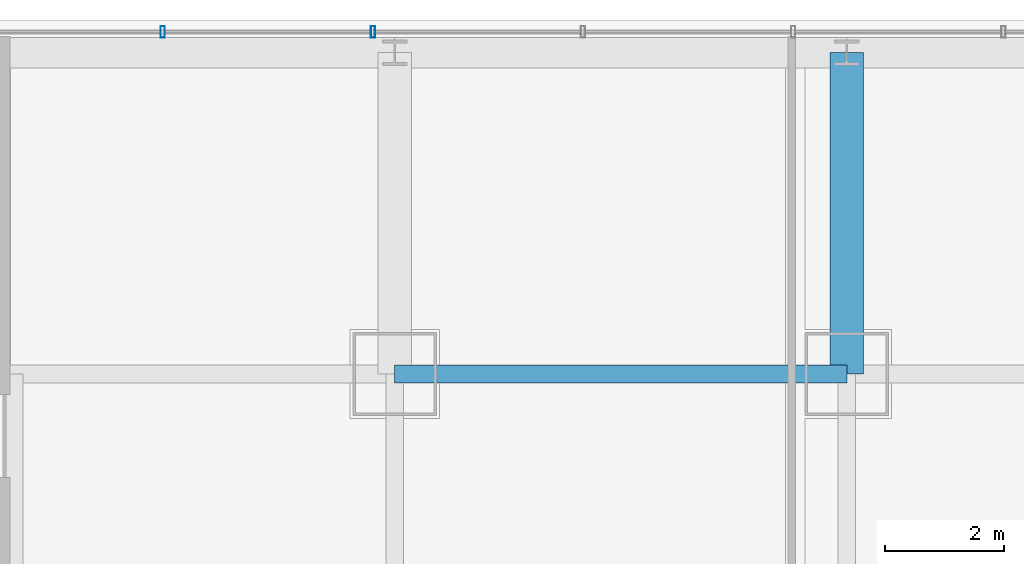
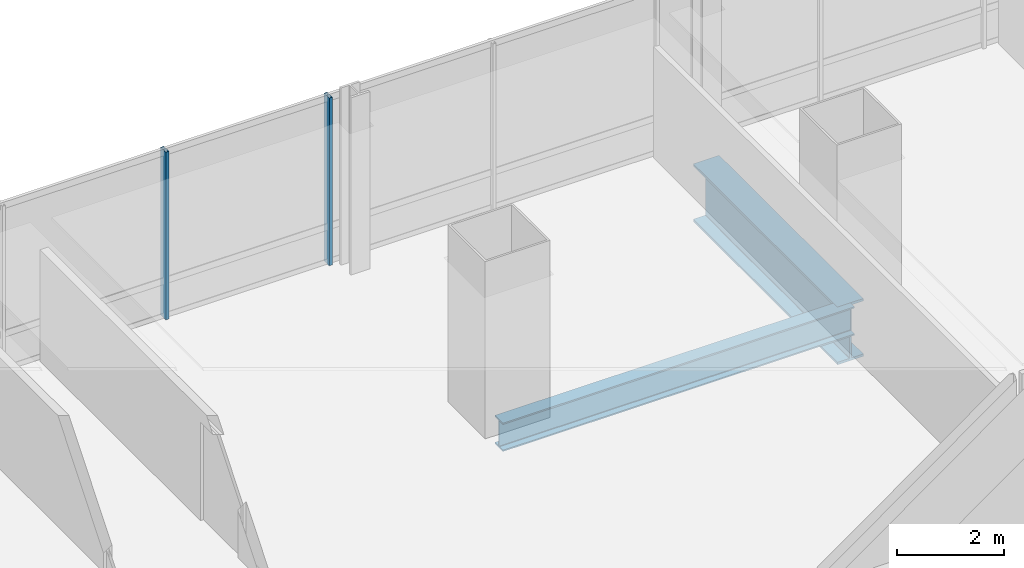
# One storey, part 23 of 38: 2 beams, 2 members, 1 element without a shape of its own.
"""IFC4 building model written with IfcOpenShell, lengths in metres."""

from ifc_helpers import new_model, si_unit, direction, frame, origin, origin_2d, place, context, subcontext, project, spatial, hollow_rectangle, i_section, extrude, material, material_profile, profile_set, type_object, element, aggregate, save


model = new_model("IFC4")

# Units and contexts
model_context = context("Model", 3, precision=1e-05, world=origin(), true_north=direction((0.0, 1.0)))
body_context = subcontext(model_context, "Body", "Model", "MODEL_VIEW")
ifc_project = project(units=[si_unit("LENGTHUNIT", "METRE"), si_unit("AREAUNIT", "SQUARE_METRE"), si_unit("VOLUMEUNIT", "CUBIC_METRE"), si_unit("PLANEANGLEUNIT", "RADIAN"), si_unit("MASSUNIT", "GRAM", prefix="KILO")], contexts=[model_context])

# Site, building, storey
site_placement = place(None, origin())
site = spatial("IfcSite", under=ifc_project, at=site_placement, CompositionType="ELEMENT")
building_placement = place(site_placement, origin())
building = spatial("IfcBuilding", under=site, at=building_placement, Name="Punatoya Terracotta Tower", CompositionType="ELEMENT")
storey_placement = place(building_placement, frame((0.0, 0.0, 160.050048828125)))
storey = spatial("IfcBuildingStorey", under=building, at=storey_placement, Name="L37", CompositionType="ELEMENT", Elevation=160.050048828125)

# Beams
ifc_material_1 = material(Name="Steel S355", Category="steel")
ifc_material_profile_1 = material_profile(ifc_material_1, i_section(OverallWidth=0.300048828125, OverallDepth=0.64990234375, WebThickness=0.01611328125, FlangeThickness=0.031005859375, FilletRadius=0.01806640625, at=origin_2d()))
ifc_profile_set_1 = profile_set([ifc_material_profile_1], Name="Steel S355")
beam_type_1 = type_object("IfcBeamType", Name="BM-PRI-650", PredefinedType="BEAM", material=ifc_profile_set_1)
beam_1_placement = place(storey_placement, frame((-3.800048828125, 17.5, -0.545166015625), z_axis=(1.0, 0.0, 0.0), x_axis=(0.0, 1.0, 0.0)))
element("IfcBeam", 1, at=beam_1_placement, inside=storey, type_object=beam_type_1, Name="BM-L37-RG-N2", PredefinedType="BEAM", context=body_context, shape_type="SweptSolid", body=[
    extrude(i_section(OverallWidth=0.300048828125, OverallDepth=0.64990234375, WebThickness=0.01611328125, FlangeThickness=0.031005859375, FilletRadius=0.01806640625, at=origin_2d()), origin(), (0.0, 0.0, 1.0), 7.60009765625),
])
ifc_material_2 = material(Name="Steel S460", Category="steel")
ifc_material_profile_2 = material_profile(ifc_material_2, i_section(OverallWidth=0.56005859375, OverallDepth=1.320068359375, WebThickness=0.035888671875, FlangeThickness=0.054931640625, FilletRadius=0.01806640625, at=origin_2d()))
ifc_profile_set_2 = profile_set([ifc_material_profile_2], Name="Steel S460")
beam_type_2 = type_object("IfcBeamType", Name="BM-TG-BLK", PredefinedType="BEAM", material=ifc_profile_set_2)
beam_2_placement = place(storey_placement, frame((3.800048828125, 17.5, -0.880126953125), z_axis=(0.0, 1.0, 0.0), x_axis=(-1.0, 0.0, 0.0)))
element("IfcBeam", 2, at=beam_2_placement, inside=storey, type_object=beam_type_2, Name="BM-L37-CANT-N3", PredefinedType="BEAM", context=body_context, shape_type="SweptSolid", body=[
    extrude(i_section(OverallWidth=0.56005859375, OverallDepth=1.320068359375, WebThickness=0.035888671875, FlangeThickness=0.054931640625, FilletRadius=0.01806640625, at=origin_2d()), origin(), (0.0, 0.0, 1.0), 5.39990234375),
])

# Curtain wall, members
ifc_material_3 = material(Name="Aluminium 6063-T6 + Double Low-E Glass", Category="aluminium")
curtain_wall_type = type_object("IfcCurtainWallType", Name="CW-M2", PredefinedType="NOTDEFINED", material=ifc_material_3)
curtain_wall_placement = place(storey_placement, origin())
curtain_wall = element("IfcCurtainWall", 3, at=curtain_wall_placement, inside=storey, type_object=curtain_wall_type, Name="L37 Curtain Wall CW-L37-N09-1", PredefinedType="NOTDEFINED")
ifc_material_4 = material(Name="Aluminium 6063-T6", Category="aluminium")
ifc_material_profile_3 = material_profile(ifc_material_4, hollow_rectangle(XDim=0.072021484375, YDim=0.195068359375, WallThickness=0.00439453125, at=origin_2d()))
ifc_profile_set_3 = profile_set([ifc_material_profile_3], Name="Aluminium 6063-T6")
member_type = type_object("IfcMemberType", Name="CW-MUL-M2", PredefinedType="MULLION", material=ifc_profile_set_3)
member_1_placement = place(storey_placement, frame((-4.1669921875, 23.25, 0.0), z_axis=(0.0, 0.0, 1.0), x_axis=(1.0, 0.0, 0.0)))
member_1 = element("IfcMember", 4, at=member_1_placement, type_object=member_type, Name="CW-L37-N09-1 Mullion 06", PredefinedType="MULLION", context=body_context, shape_type="SweptSolid", body=[
    extrude(hollow_rectangle(XDim=0.072021484375, YDim=0.195068359375, WallThickness=0.00439453125, at=origin_2d()), origin(), (0.0, 0.0, 1.0), 3.829833984375),
])
member_2_placement = place(storey_placement, frame((-7.700927734375, 23.25, 0.0), z_axis=(0.0, 0.0, 1.0), x_axis=(1.0, 0.0, 0.0)))
member_2 = element("IfcMember", 5, at=member_2_placement, type_object=member_type, Name="CW-L37-N09-1 Mullion 07", PredefinedType="MULLION", context=body_context, shape_type="SweptSolid", body=[
    extrude(hollow_rectangle(XDim=0.072021484375, YDim=0.195068359375, WallThickness=0.00439453125, at=origin_2d()), origin(), (0.0, 0.0, 1.0), 3.829833984375),
])
aggregate(curtain_wall, [member_1, member_2])

save(model, "model.ifc")
